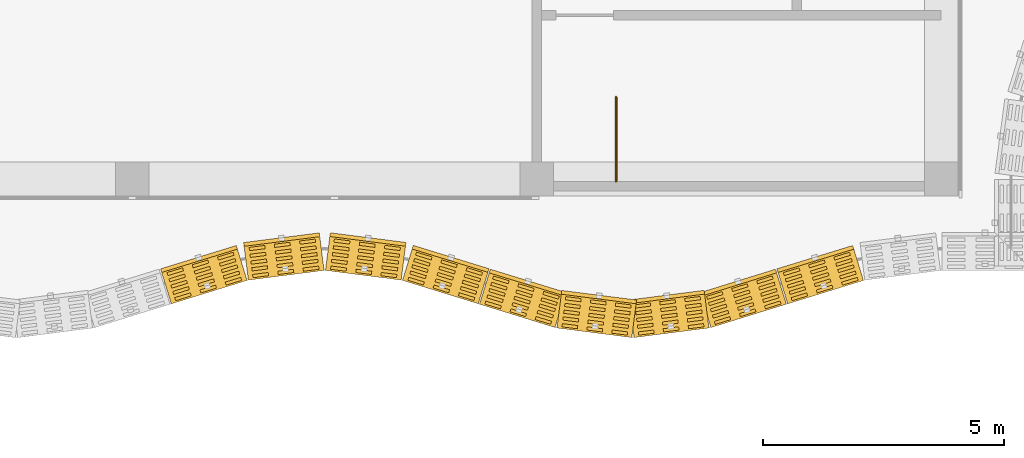
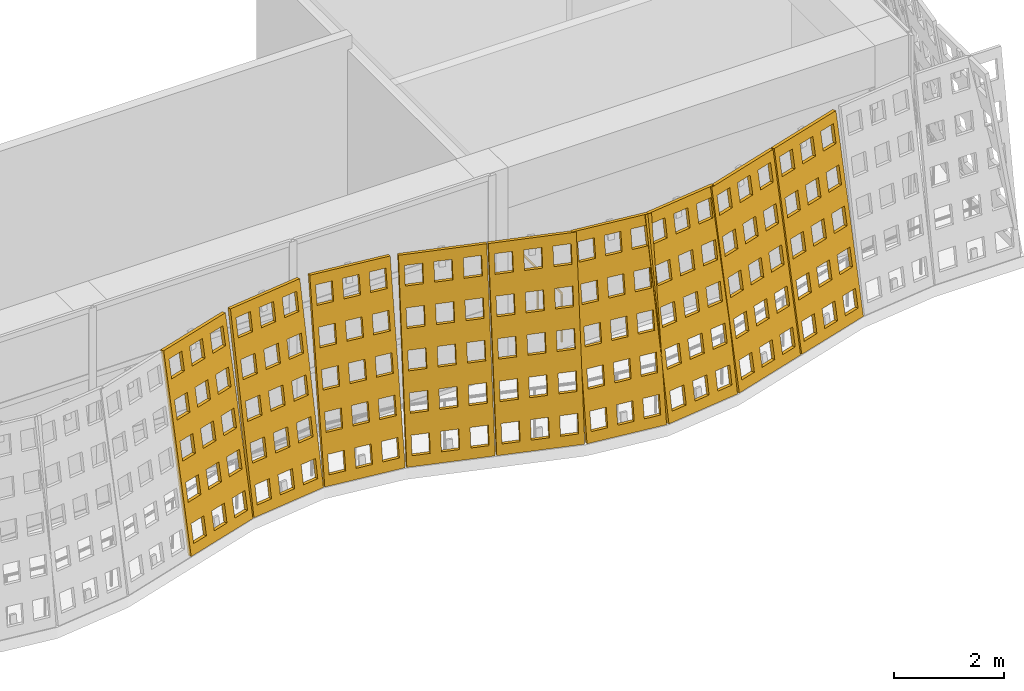
# One storey, part 159 of 162: 9 coverings, 1 railing.
"""IFC4 building model written with IfcOpenShell, lengths in metres."""

from ifc_helpers import new_model, si_unit, direction, frame, origin, origin_2d, place, context, subcontext, project, spatial, polyline, circle, outline, extrude, material, layer, layer_set, type_object, element, save


model = new_model("IFC4")

# Units and contexts
model_context = context("Model", 3, precision=1e-05, world=origin(), true_north=direction((0.0, 1.0)))
body_context = subcontext(model_context, "Body", "Model", "MODEL_VIEW")
ifc_project = project(units=[si_unit("LENGTHUNIT", "METRE"), si_unit("AREAUNIT", "SQUARE_METRE"), si_unit("VOLUMEUNIT", "CUBIC_METRE"), si_unit("PLANEANGLEUNIT", "RADIAN"), si_unit("MASSUNIT", "GRAM", prefix="KILO")], contexts=[model_context])

# Site, building, storey
site_placement = place(None, origin())
site = spatial("IfcSite", under=ifc_project, at=site_placement, CompositionType="ELEMENT")
building_placement = place(site_placement, origin())
building = spatial("IfcBuilding", under=site, at=building_placement, Name="Rain Tree Exposition and Congress Centre", CompositionType="ELEMENT")
storey_placement = place(building_placement, frame((0.0, 0.0, 6.0)))
storey = spatial("IfcBuildingStorey", under=building, at=storey_placement, Name="L01", CompositionType="ELEMENT", Elevation=6.0)

# Railing
ifc_material_1 = material(Name="Aluminium and glass balustrade", Category="aluminium")
railing_type = type_object("IfcRailingType", Name="Concourse guard 1100", PredefinedType="GUARDRAIL", material=ifc_material_1)
railing_placement = place(storey_placement, frame((262.050048828125, 75.550048828125, 0.0)))
element("IfcRailing", 1, at=railing_placement, inside=storey, type_object=railing_type, Name="L01 ST-C6 top well guard 1", PredefinedType="GUARDRAIL", context=body_context, shape_type="SweptSolid", body=[
    extrude(circle(Radius=0.02392578125, at=origin_2d()), frame((0.0, 0.0, 1.076171875), z_axis=(0.0, 1.0, 0.0), x_axis=(-1.0, 0.0, 0.0)), (0.0, 0.0, 1.0), 1.75),
    extrude(circle(Radius=0.02099609375, at=origin_2d()), origin(), (0.0, 0.0, 1.0), 1.052001953125),
    extrude(circle(Radius=0.02099609375, at=origin_2d()), frame((0.0, 0.875, 0.0)), (0.0, 0.0, 1.0), 1.052001953125),
    extrude(circle(Radius=0.02099609375, at=origin_2d()), frame((0.0, 1.75, 0.0)), (0.0, 0.0, 1.0), 1.052001953125),
])

# Coverings
ifc_material_2 = material(Name="Perforated terracotta", Category="masonry")
ifc_layer = layer(ifc_material_2, 0.080078125)
ifc_layer_set = layer_set([ifc_layer], Name="Perforated terracotta")
covering_type = type_object("IfcCoveringType", Name="Terracotta screen 80", PredefinedType="CLADDING", material=ifc_layer_set)
covering_1_placement = place(storey_placement, frame((252.79931640625, 73.001708984375, 0.0126953125), z_axis=(-0.290138898064, 0.943714942124, -0.158812870519), x_axis=(-0.955845867297, -0.293868470528, 0.0)))
element("IfcCovering", 2, at=covering_1_placement, inside=storey, type_object=covering_type, Name="concourse/screen/L01/159", PredefinedType="CLADDING", context=body_context, shape_type="SweptSolid", body=[
    extrude(outline(polyline([(-1.659912109375, 0.0), (-1.659912109375, 4.29150390625), (-0.014892578125, 4.29150390625), (-0.014892578125, 0.0), (-1.659912109375, 0.0)]), holes=[polyline([(-0.119140625, 0.221435546875), (-0.119140625, 0.63671875), (-0.458984375, 0.63671875), (-0.458984375, 0.221435546875), (-0.119140625, 0.221435546875)]), polyline([(-0.119140625, 1.079833984375), (-0.119140625, 1.4951171875), (-0.458984375, 1.4951171875), (-0.458984375, 1.079833984375), (-0.119140625, 1.079833984375)]), polyline([(-0.119140625, 1.93798828125), (-0.119140625, 2.353271484375), (-0.458984375, 2.353271484375), (-0.458984375, 1.93798828125), (-0.119140625, 1.93798828125)]), polyline([(-0.119140625, 2.79638671875), (-0.119140625, 3.211669921875), (-0.458984375, 3.211669921875), (-0.458984375, 2.79638671875), (-0.119140625, 2.79638671875)]), polyline([(-0.119140625, 3.654541015625), (-0.119140625, 4.06982421875), (-0.458984375, 4.06982421875), (-0.458984375, 3.654541015625), (-0.119140625, 3.654541015625)]), polyline([(-0.66748046875, 0.221435546875), (-0.66748046875, 0.63671875), (-1.00732421875, 0.63671875), (-1.00732421875, 0.221435546875), (-0.66748046875, 0.221435546875)]), polyline([(-0.66748046875, 1.079833984375), (-0.66748046875, 1.4951171875), (-1.00732421875, 1.4951171875), (-1.00732421875, 1.079833984375), (-0.66748046875, 1.079833984375)]), polyline([(-0.66748046875, 1.93798828125), (-0.66748046875, 2.353271484375), (-1.00732421875, 2.353271484375), (-1.00732421875, 1.93798828125), (-0.66748046875, 1.93798828125)]), polyline([(-0.66748046875, 2.79638671875), (-0.66748046875, 3.211669921875), (-1.00732421875, 3.211669921875), (-1.00732421875, 2.79638671875), (-0.66748046875, 2.79638671875)]), polyline([(-0.66748046875, 3.654541015625), (-0.66748046875, 4.06982421875), (-1.00732421875, 4.06982421875), (-1.00732421875, 3.654541015625), (-0.66748046875, 3.654541015625)]), polyline([(-1.2158203125, 0.221435546875), (-1.2158203125, 0.63671875), (-1.5556640625, 0.63671875), (-1.5556640625, 0.221435546875), (-1.2158203125, 0.221435546875)]), polyline([(-1.2158203125, 1.079833984375), (-1.2158203125, 1.4951171875), (-1.5556640625, 1.4951171875), (-1.5556640625, 1.079833984375), (-1.2158203125, 1.079833984375)]), polyline([(-1.2158203125, 1.93798828125), (-1.2158203125, 2.353271484375), (-1.5556640625, 2.353271484375), (-1.5556640625, 1.93798828125), (-1.2158203125, 1.93798828125)]), polyline([(-1.2158203125, 2.79638671875), (-1.2158203125, 3.211669921875), (-1.5556640625, 3.211669921875), (-1.5556640625, 2.79638671875), (-1.2158203125, 2.79638671875)]), polyline([(-1.2158203125, 3.654541015625), (-1.2158203125, 4.06982421875), (-1.5556640625, 4.06982421875), (-1.5556640625, 3.654541015625), (-1.2158203125, 3.654541015625)])]), origin(), (0.0, 0.0, 1.0), 0.079833984375),
])
covering_2_placement = place(storey_placement, frame((254.399658203125, 73.496826171875, 0.01318359375), z_axis=(-0.124968640969, 0.978413018317, -0.164592844203), x_axis=(-0.991941518713, -0.126696580272, 0.0)))
element("IfcCovering", 3, at=covering_2_placement, inside=storey, type_object=covering_type, Name="concourse/screen/L01/160", PredefinedType="CLADDING", context=body_context, shape_type="SweptSolid", body=[
    extrude(outline(polyline([(-1.59814453125, 0.0), (-1.59814453125, 4.295166015625), (-0.014892578125, 4.295166015625), (-0.014892578125, 0.0), (-1.59814453125, 0.0)]), holes=[polyline([(-0.115234375, 0.2216796875), (-0.115234375, 0.63720703125), (-0.4423828125, 0.63720703125), (-0.4423828125, 0.2216796875), (-0.115234375, 0.2216796875)]), polyline([(-0.115234375, 1.080810546875), (-0.115234375, 1.496337890625), (-0.4423828125, 1.496337890625), (-0.4423828125, 1.080810546875), (-0.115234375, 1.080810546875)]), polyline([(-0.115234375, 1.939697265625), (-0.115234375, 2.35546875), (-0.4423828125, 2.35546875), (-0.4423828125, 1.939697265625), (-0.115234375, 1.939697265625)]), polyline([(-0.115234375, 2.798583984375), (-0.115234375, 3.21435546875), (-0.4423828125, 3.21435546875), (-0.4423828125, 2.798583984375), (-0.115234375, 2.798583984375)]), polyline([(-0.115234375, 3.65771484375), (-0.115234375, 4.073486328125), (-0.4423828125, 4.073486328125), (-0.4423828125, 3.65771484375), (-0.115234375, 3.65771484375)]), polyline([(-0.64306640625, 0.2216796875), (-0.64306640625, 0.63720703125), (-0.97021484375, 0.63720703125), (-0.97021484375, 0.2216796875), (-0.64306640625, 0.2216796875)]), polyline([(-0.64306640625, 1.080810546875), (-0.64306640625, 1.496337890625), (-0.97021484375, 1.496337890625), (-0.97021484375, 1.080810546875), (-0.64306640625, 1.080810546875)]), polyline([(-0.64306640625, 1.939697265625), (-0.64306640625, 2.35546875), (-0.97021484375, 2.35546875), (-0.97021484375, 1.939697265625), (-0.64306640625, 1.939697265625)]), polyline([(-0.64306640625, 2.798583984375), (-0.64306640625, 3.21435546875), (-0.97021484375, 3.21435546875), (-0.97021484375, 2.798583984375), (-0.64306640625, 2.798583984375)]), polyline([(-0.64306640625, 3.65771484375), (-0.64306640625, 4.073486328125), (-0.97021484375, 4.073486328125), (-0.97021484375, 3.65771484375), (-0.64306640625, 3.65771484375)]), polyline([(-1.170654296875, 0.2216796875), (-1.170654296875, 0.63720703125), (-1.497802734375, 0.63720703125), (-1.497802734375, 0.2216796875), (-1.170654296875, 0.2216796875)]), polyline([(-1.170654296875, 1.080810546875), (-1.170654296875, 1.496337890625), (-1.497802734375, 1.496337890625), (-1.497802734375, 1.080810546875), (-1.170654296875, 1.080810546875)]), polyline([(-1.170654296875, 1.939697265625), (-1.170654296875, 2.35546875), (-1.497802734375, 2.35546875), (-1.497802734375, 1.939697265625), (-1.170654296875, 1.939697265625)]), polyline([(-1.170654296875, 2.798583984375), (-1.170654296875, 3.21435546875), (-1.497802734375, 3.21435546875), (-1.497802734375, 2.798583984375), (-1.170654296875, 2.798583984375)]), polyline([(-1.170654296875, 3.65771484375), (-1.170654296875, 4.073486328125), (-1.497802734375, 4.073486328125), (-1.497802734375, 3.65771484375), (-1.170654296875, 3.65771484375)])]), origin(), (0.0, 0.0, 1.0), 0.080078125),
])
covering_3_placement = place(storey_placement, frame((256.000244140625, 73.701904296875, 0.01318359375), z_axis=(0.125342414455, 0.978282259159, -0.165085131233), x_axis=(-0.991891686382, 0.127086122318, 0.0)))
element("IfcCovering", 4, at=covering_3_placement, inside=storey, type_object=covering_type, Name="concourse/screen/L01/161", PredefinedType="CLADDING", context=body_context, shape_type="SweptSolid", body=[
    extrude(outline(polyline([(-1.59814453125, 0.0), (-1.59814453125, 4.295166015625), (-0.014892578125, 4.295166015625), (-0.014892578125, 0.0), (-1.59814453125, 0.0)]), holes=[polyline([(-0.115234375, 0.2216796875), (-0.115234375, 0.63720703125), (-0.4423828125, 0.63720703125), (-0.4423828125, 0.2216796875), (-0.115234375, 0.2216796875)]), polyline([(-0.115234375, 1.080810546875), (-0.115234375, 1.496337890625), (-0.4423828125, 1.496337890625), (-0.4423828125, 1.080810546875), (-0.115234375, 1.080810546875)]), polyline([(-0.115234375, 1.939697265625), (-0.115234375, 2.35546875), (-0.4423828125, 2.35546875), (-0.4423828125, 1.939697265625), (-0.115234375, 1.939697265625)]), polyline([(-0.115234375, 2.798583984375), (-0.115234375, 3.21435546875), (-0.4423828125, 3.21435546875), (-0.4423828125, 2.798583984375), (-0.115234375, 2.798583984375)]), polyline([(-0.115234375, 3.65771484375), (-0.115234375, 4.073486328125), (-0.4423828125, 4.073486328125), (-0.4423828125, 3.65771484375), (-0.115234375, 3.65771484375)]), polyline([(-0.64306640625, 0.2216796875), (-0.64306640625, 0.63720703125), (-0.97021484375, 0.63720703125), (-0.97021484375, 0.2216796875), (-0.64306640625, 0.2216796875)]), polyline([(-0.64306640625, 1.080810546875), (-0.64306640625, 1.496337890625), (-0.97021484375, 1.496337890625), (-0.97021484375, 1.080810546875), (-0.64306640625, 1.080810546875)]), polyline([(-0.64306640625, 1.939697265625), (-0.64306640625, 2.35546875), (-0.97021484375, 2.35546875), (-0.97021484375, 1.939697265625), (-0.64306640625, 1.939697265625)]), polyline([(-0.64306640625, 2.798583984375), (-0.64306640625, 3.21435546875), (-0.97021484375, 3.21435546875), (-0.97021484375, 2.798583984375), (-0.64306640625, 2.798583984375)]), polyline([(-0.64306640625, 3.65771484375), (-0.64306640625, 4.073486328125), (-0.97021484375, 4.073486328125), (-0.97021484375, 3.65771484375), (-0.64306640625, 3.65771484375)]), polyline([(-1.170654296875, 0.2216796875), (-1.170654296875, 0.63720703125), (-1.497802734375, 0.63720703125), (-1.497802734375, 0.2216796875), (-1.170654296875, 0.2216796875)]), polyline([(-1.170654296875, 1.080810546875), (-1.170654296875, 1.496337890625), (-1.497802734375, 1.496337890625), (-1.497802734375, 1.080810546875), (-1.170654296875, 1.080810546875)]), polyline([(-1.170654296875, 1.939697265625), (-1.170654296875, 2.35546875), (-1.497802734375, 2.35546875), (-1.497802734375, 1.939697265625), (-1.170654296875, 1.939697265625)]), polyline([(-1.170654296875, 2.798583984375), (-1.170654296875, 3.21435546875), (-1.497802734375, 3.21435546875), (-1.497802734375, 2.798583984375), (-1.170654296875, 2.798583984375)]), polyline([(-1.170654296875, 3.65771484375), (-1.170654296875, 4.073486328125), (-1.497802734375, 4.073486328125), (-1.497802734375, 3.65771484375), (-1.170654296875, 3.65771484375)])]), origin(), (0.0, 0.0, 1.0), 0.079833984375),
])
covering_4_placement = place(storey_placement, frame((257.6005859375, 73.49658203125, 0.0126953125), z_axis=(0.290138898064, 0.943714942124, -0.158812870519), x_axis=(-0.955845867297, 0.293868470528, 0.0)))
element("IfcCovering", 5, at=covering_4_placement, inside=storey, type_object=covering_type, Name="concourse/screen/L01/162", PredefinedType="CLADDING", context=body_context, shape_type="SweptSolid", body=[
    extrude(outline(polyline([(-1.659912109375, 0.0), (-1.659912109375, 4.29150390625), (-0.014892578125, 4.29150390625), (-0.014892578125, 0.0), (-1.659912109375, 0.0)]), holes=[polyline([(-0.119140625, 0.221435546875), (-0.119140625, 0.63671875), (-0.458984375, 0.63671875), (-0.458984375, 0.221435546875), (-0.119140625, 0.221435546875)]), polyline([(-0.119140625, 1.079833984375), (-0.119140625, 1.4951171875), (-0.458984375, 1.4951171875), (-0.458984375, 1.079833984375), (-0.119140625, 1.079833984375)]), polyline([(-0.119140625, 1.93798828125), (-0.119140625, 2.353271484375), (-0.458984375, 2.353271484375), (-0.458984375, 1.93798828125), (-0.119140625, 1.93798828125)]), polyline([(-0.119140625, 2.79638671875), (-0.119140625, 3.211669921875), (-0.458984375, 3.211669921875), (-0.458984375, 2.79638671875), (-0.119140625, 2.79638671875)]), polyline([(-0.119140625, 3.654541015625), (-0.119140625, 4.06982421875), (-0.458984375, 4.06982421875), (-0.458984375, 3.654541015625), (-0.119140625, 3.654541015625)]), polyline([(-0.66748046875, 0.221435546875), (-0.66748046875, 0.63671875), (-1.00732421875, 0.63671875), (-1.00732421875, 0.221435546875), (-0.66748046875, 0.221435546875)]), polyline([(-0.66748046875, 1.079833984375), (-0.66748046875, 1.4951171875), (-1.00732421875, 1.4951171875), (-1.00732421875, 1.079833984375), (-0.66748046875, 1.079833984375)]), polyline([(-0.66748046875, 1.93798828125), (-0.66748046875, 2.353271484375), (-1.00732421875, 2.353271484375), (-1.00732421875, 1.93798828125), (-0.66748046875, 1.93798828125)]), polyline([(-0.66748046875, 2.79638671875), (-0.66748046875, 3.211669921875), (-1.00732421875, 3.211669921875), (-1.00732421875, 2.79638671875), (-0.66748046875, 2.79638671875)]), polyline([(-0.66748046875, 3.654541015625), (-0.66748046875, 4.06982421875), (-1.00732421875, 4.06982421875), (-1.00732421875, 3.654541015625), (-0.66748046875, 3.654541015625)]), polyline([(-1.2158203125, 0.221435546875), (-1.2158203125, 0.63671875), (-1.5556640625, 0.63671875), (-1.5556640625, 0.221435546875), (-1.2158203125, 0.221435546875)]), polyline([(-1.2158203125, 1.079833984375), (-1.2158203125, 1.4951171875), (-1.5556640625, 1.4951171875), (-1.5556640625, 1.079833984375), (-1.2158203125, 1.079833984375)]), polyline([(-1.2158203125, 1.93798828125), (-1.2158203125, 2.353271484375), (-1.5556640625, 2.353271484375), (-1.5556640625, 1.93798828125), (-1.2158203125, 1.93798828125)]), polyline([(-1.2158203125, 2.79638671875), (-1.2158203125, 3.211669921875), (-1.5556640625, 3.211669921875), (-1.5556640625, 2.79638671875), (-1.2158203125, 2.79638671875)]), polyline([(-1.2158203125, 3.654541015625), (-1.2158203125, 4.06982421875), (-1.5556640625, 4.06982421875), (-1.5556640625, 3.654541015625), (-1.2158203125, 3.654541015625)])]), origin(), (0.0, 0.0, 1.0), 0.079833984375),
])
covering_5_placement = place(storey_placement, frame((259.20068359375, 73.001708984375, 0.0126953125), z_axis=(0.290138898064, 0.943714942124, -0.158812870519), x_axis=(-0.955845867297, 0.293868470528, 0.0)))
element("IfcCovering", 6, at=covering_5_placement, inside=storey, type_object=covering_type, Name="concourse/screen/L01/163", PredefinedType="CLADDING", context=body_context, shape_type="SweptSolid", body=[
    extrude(outline(polyline([(-1.65283203125, 0.0), (-1.65283203125, 4.29150390625), (-0.014892578125, 4.29150390625), (-0.014892578125, 0.0), (-1.65283203125, 0.0)]), holes=[polyline([(-0.11865234375, 0.221435546875), (-0.11865234375, 0.63671875), (-0.457275390625, 0.63671875), (-0.457275390625, 0.221435546875), (-0.11865234375, 0.221435546875)]), polyline([(-0.11865234375, 1.079833984375), (-0.11865234375, 1.4951171875), (-0.457275390625, 1.4951171875), (-0.457275390625, 1.079833984375), (-0.11865234375, 1.079833984375)]), polyline([(-0.11865234375, 1.93798828125), (-0.11865234375, 2.353271484375), (-0.457275390625, 2.353271484375), (-0.457275390625, 1.93798828125), (-0.11865234375, 1.93798828125)]), polyline([(-0.11865234375, 2.79638671875), (-0.11865234375, 3.211669921875), (-0.457275390625, 3.211669921875), (-0.457275390625, 2.79638671875), (-0.11865234375, 2.79638671875)]), polyline([(-0.11865234375, 3.654541015625), (-0.11865234375, 4.06982421875), (-0.457275390625, 4.06982421875), (-0.457275390625, 3.654541015625), (-0.11865234375, 3.654541015625)]), polyline([(-0.664794921875, 0.221435546875), (-0.664794921875, 0.63671875), (-1.003173828125, 0.63671875), (-1.003173828125, 0.221435546875), (-0.664794921875, 0.221435546875)]), polyline([(-0.664794921875, 1.079833984375), (-0.664794921875, 1.4951171875), (-1.003173828125, 1.4951171875), (-1.003173828125, 1.079833984375), (-0.664794921875, 1.079833984375)]), polyline([(-0.664794921875, 1.93798828125), (-0.664794921875, 2.353271484375), (-1.003173828125, 2.353271484375), (-1.003173828125, 1.93798828125), (-0.664794921875, 1.93798828125)]), polyline([(-0.664794921875, 2.79638671875), (-0.664794921875, 3.211669921875), (-1.003173828125, 3.211669921875), (-1.003173828125, 2.79638671875), (-0.664794921875, 2.79638671875)]), polyline([(-0.664794921875, 3.654541015625), (-0.664794921875, 4.06982421875), (-1.003173828125, 4.06982421875), (-1.003173828125, 3.654541015625), (-0.664794921875, 3.654541015625)]), polyline([(-1.210693359375, 0.221435546875), (-1.210693359375, 0.63671875), (-1.54931640625, 0.63671875), (-1.54931640625, 0.221435546875), (-1.210693359375, 0.221435546875)]), polyline([(-1.210693359375, 1.079833984375), (-1.210693359375, 1.4951171875), (-1.54931640625, 1.4951171875), (-1.54931640625, 1.079833984375), (-1.210693359375, 1.079833984375)]), polyline([(-1.210693359375, 1.93798828125), (-1.210693359375, 2.353271484375), (-1.54931640625, 2.353271484375), (-1.54931640625, 1.93798828125), (-1.210693359375, 1.93798828125)]), polyline([(-1.210693359375, 2.79638671875), (-1.210693359375, 3.211669921875), (-1.54931640625, 3.211669921875), (-1.54931640625, 2.79638671875), (-1.210693359375, 2.79638671875)]), polyline([(-1.210693359375, 3.654541015625), (-1.210693359375, 4.06982421875), (-1.54931640625, 4.06982421875), (-1.54931640625, 3.654541015625), (-1.210693359375, 3.654541015625)])]), origin(), (0.0, 0.0, 1.0), 0.079833984375),
])
covering_6_placement = place(storey_placement, frame((260.80029296875, 72.5068359375, 0.01318359375), z_axis=(0.124968640969, 0.978413018317, -0.164592844203), x_axis=(-0.991941518713, 0.126696580272, 0.0)))
element("IfcCovering", 7, at=covering_6_placement, inside=storey, type_object=covering_type, Name="concourse/screen/L01/164", PredefinedType="CLADDING", context=body_context, shape_type="SweptSolid", body=[
    extrude(outline(polyline([(-1.587890625, 0.0), (-1.587890625, 4.295166015625), (-0.02197265625, 4.295166015625), (-0.02197265625, 0.0), (-1.587890625, 0.0)]), holes=[polyline([(-0.12109375, 0.2216796875), (-0.12109375, 0.63720703125), (-0.444580078125, 0.63720703125), (-0.444580078125, 0.2216796875), (-0.12109375, 0.2216796875)]), polyline([(-0.12109375, 1.080810546875), (-0.12109375, 1.496337890625), (-0.444580078125, 1.496337890625), (-0.444580078125, 1.080810546875), (-0.12109375, 1.080810546875)]), polyline([(-0.12109375, 1.939697265625), (-0.12109375, 2.35546875), (-0.444580078125, 2.35546875), (-0.444580078125, 1.939697265625), (-0.12109375, 1.939697265625)]), polyline([(-0.12109375, 2.798583984375), (-0.12109375, 3.21435546875), (-0.444580078125, 3.21435546875), (-0.444580078125, 2.798583984375), (-0.12109375, 2.798583984375)]), polyline([(-0.12109375, 3.65771484375), (-0.12109375, 4.073486328125), (-0.444580078125, 4.073486328125), (-0.444580078125, 3.65771484375), (-0.12109375, 3.65771484375)]), polyline([(-0.64306640625, 0.2216796875), (-0.64306640625, 0.63720703125), (-0.966796875, 0.63720703125), (-0.966796875, 0.2216796875), (-0.64306640625, 0.2216796875)]), polyline([(-0.64306640625, 1.080810546875), (-0.64306640625, 1.496337890625), (-0.966796875, 1.496337890625), (-0.966796875, 1.080810546875), (-0.64306640625, 1.080810546875)]), polyline([(-0.64306640625, 1.939697265625), (-0.64306640625, 2.35546875), (-0.966796875, 2.35546875), (-0.966796875, 1.939697265625), (-0.64306640625, 1.939697265625)]), polyline([(-0.64306640625, 2.798583984375), (-0.64306640625, 3.21435546875), (-0.966796875, 3.21435546875), (-0.966796875, 2.798583984375), (-0.64306640625, 2.798583984375)]), polyline([(-0.64306640625, 3.65771484375), (-0.64306640625, 4.073486328125), (-0.966796875, 4.073486328125), (-0.966796875, 3.65771484375), (-0.64306640625, 3.65771484375)]), polyline([(-1.1650390625, 0.2216796875), (-1.1650390625, 0.63720703125), (-1.48876953125, 0.63720703125), (-1.48876953125, 0.2216796875), (-1.1650390625, 0.2216796875)]), polyline([(-1.1650390625, 1.080810546875), (-1.1650390625, 1.496337890625), (-1.48876953125, 1.496337890625), (-1.48876953125, 1.080810546875), (-1.1650390625, 1.080810546875)]), polyline([(-1.1650390625, 1.939697265625), (-1.1650390625, 2.35546875), (-1.48876953125, 2.35546875), (-1.48876953125, 1.939697265625), (-1.1650390625, 1.939697265625)]), polyline([(-1.1650390625, 2.798583984375), (-1.1650390625, 3.21435546875), (-1.48876953125, 3.21435546875), (-1.48876953125, 2.798583984375), (-1.1650390625, 2.798583984375)]), polyline([(-1.1650390625, 3.65771484375), (-1.1650390625, 4.073486328125), (-1.48876953125, 4.073486328125), (-1.48876953125, 3.65771484375), (-1.1650390625, 3.65771484375)])]), origin(), (0.0, 0.0, 1.0), 0.080078125),
])
covering_7_placement = place(storey_placement, frame((262.399658203125, 72.302001953125, 0.01318359375), z_axis=(-0.125342414455, 0.978282259159, -0.165085131233), x_axis=(-0.991891686382, -0.127086122318, 0.0)))
element("IfcCovering", 8, at=covering_7_placement, inside=storey, type_object=covering_type, Name="concourse/screen/L01/165", PredefinedType="CLADDING", context=body_context, shape_type="SweptSolid", body=[
    extrude(outline(polyline([(-1.59130859375, 0.0), (-1.59130859375, 4.295166015625), (-0.025146484375, 4.295166015625), (-0.025146484375, 0.0), (-1.59130859375, 0.0)]), holes=[polyline([(-0.12451171875, 0.2216796875), (-0.12451171875, 0.63720703125), (-0.447998046875, 0.63720703125), (-0.447998046875, 0.2216796875), (-0.12451171875, 0.2216796875)]), polyline([(-0.12451171875, 1.080810546875), (-0.12451171875, 1.496337890625), (-0.447998046875, 1.496337890625), (-0.447998046875, 1.080810546875), (-0.12451171875, 1.080810546875)]), polyline([(-0.12451171875, 1.939697265625), (-0.12451171875, 2.35546875), (-0.447998046875, 2.35546875), (-0.447998046875, 1.939697265625), (-0.12451171875, 1.939697265625)]), polyline([(-0.12451171875, 2.798583984375), (-0.12451171875, 3.21435546875), (-0.447998046875, 3.21435546875), (-0.447998046875, 2.798583984375), (-0.12451171875, 2.798583984375)]), polyline([(-0.12451171875, 3.65771484375), (-0.12451171875, 4.073486328125), (-0.447998046875, 4.073486328125), (-0.447998046875, 3.65771484375), (-0.12451171875, 3.65771484375)]), polyline([(-0.646484375, 0.2216796875), (-0.646484375, 0.63720703125), (-0.969970703125, 0.63720703125), (-0.969970703125, 0.2216796875), (-0.646484375, 0.2216796875)]), polyline([(-0.646484375, 1.080810546875), (-0.646484375, 1.496337890625), (-0.969970703125, 1.496337890625), (-0.969970703125, 1.080810546875), (-0.646484375, 1.080810546875)]), polyline([(-0.646484375, 1.939697265625), (-0.646484375, 2.35546875), (-0.969970703125, 2.35546875), (-0.969970703125, 1.939697265625), (-0.646484375, 1.939697265625)]), polyline([(-0.646484375, 2.798583984375), (-0.646484375, 3.21435546875), (-0.969970703125, 3.21435546875), (-0.969970703125, 2.798583984375), (-0.646484375, 2.798583984375)]), polyline([(-0.646484375, 3.65771484375), (-0.646484375, 4.073486328125), (-0.969970703125, 4.073486328125), (-0.969970703125, 3.65771484375), (-0.646484375, 3.65771484375)]), polyline([(-1.16845703125, 0.2216796875), (-1.16845703125, 0.63720703125), (-1.491943359375, 0.63720703125), (-1.491943359375, 0.2216796875), (-1.16845703125, 0.2216796875)]), polyline([(-1.16845703125, 1.080810546875), (-1.16845703125, 1.496337890625), (-1.491943359375, 1.496337890625), (-1.491943359375, 1.080810546875), (-1.16845703125, 1.080810546875)]), polyline([(-1.16845703125, 1.939697265625), (-1.16845703125, 2.35546875), (-1.491943359375, 2.35546875), (-1.491943359375, 1.939697265625), (-1.16845703125, 1.939697265625)]), polyline([(-1.16845703125, 2.798583984375), (-1.16845703125, 3.21435546875), (-1.491943359375, 3.21435546875), (-1.491943359375, 2.798583984375), (-1.16845703125, 2.798583984375)]), polyline([(-1.16845703125, 3.65771484375), (-1.16845703125, 4.073486328125), (-1.491943359375, 4.073486328125), (-1.491943359375, 3.65771484375), (-1.16845703125, 3.65771484375)])]), origin(), (0.0, 0.0, 1.0), 0.079833984375),
])
covering_8_placement = place(storey_placement, frame((263.99951171875, 72.506591796875, 0.0126953125), z_axis=(-0.292932171154, 0.942875425902, -0.158671592708), x_axis=(-0.954973588716, -0.296690823679, 0.0)))
element("IfcCovering", 9, at=covering_8_placement, inside=storey, type_object=covering_type, Name="concourse/screen/L01/166", PredefinedType="CLADDING", context=body_context, shape_type="SweptSolid", body=[
    extrude(outline(polyline([(-1.659912109375, 0.0), (-1.659912109375, 4.29150390625), (-0.02197265625, 4.29150390625), (-0.02197265625, 0.0), (-1.659912109375, 0.0)]), holes=[polyline([(-0.125732421875, 0.221435546875), (-0.125732421875, 0.63671875), (-0.464111328125, 0.63671875), (-0.464111328125, 0.221435546875), (-0.125732421875, 0.221435546875)]), polyline([(-0.125732421875, 1.079833984375), (-0.125732421875, 1.4951171875), (-0.464111328125, 1.4951171875), (-0.464111328125, 1.079833984375), (-0.125732421875, 1.079833984375)]), polyline([(-0.125732421875, 1.93798828125), (-0.125732421875, 2.353271484375), (-0.464111328125, 2.353271484375), (-0.464111328125, 1.93798828125), (-0.125732421875, 1.93798828125)]), polyline([(-0.125732421875, 2.79638671875), (-0.125732421875, 3.211669921875), (-0.464111328125, 3.211669921875), (-0.464111328125, 2.79638671875), (-0.125732421875, 2.79638671875)]), polyline([(-0.125732421875, 3.654541015625), (-0.125732421875, 4.06982421875), (-0.464111328125, 4.06982421875), (-0.464111328125, 3.654541015625), (-0.125732421875, 3.654541015625)]), polyline([(-0.671630859375, 0.221435546875), (-0.671630859375, 0.63671875), (-1.010009765625, 0.63671875), (-1.010009765625, 0.221435546875), (-0.671630859375, 0.221435546875)]), polyline([(-0.671630859375, 1.079833984375), (-0.671630859375, 1.4951171875), (-1.010009765625, 1.4951171875), (-1.010009765625, 1.079833984375), (-0.671630859375, 1.079833984375)]), polyline([(-0.671630859375, 1.93798828125), (-0.671630859375, 2.353271484375), (-1.010009765625, 2.353271484375), (-1.010009765625, 1.93798828125), (-0.671630859375, 1.93798828125)]), polyline([(-0.671630859375, 2.79638671875), (-0.671630859375, 3.211669921875), (-1.010009765625, 3.211669921875), (-1.010009765625, 2.79638671875), (-0.671630859375, 2.79638671875)]), polyline([(-0.671630859375, 3.654541015625), (-0.671630859375, 4.06982421875), (-1.010009765625, 4.06982421875), (-1.010009765625, 3.654541015625), (-0.671630859375, 3.654541015625)]), polyline([(-1.217529296875, 0.221435546875), (-1.217529296875, 0.63671875), (-1.55615234375, 0.63671875), (-1.55615234375, 0.221435546875), (-1.217529296875, 0.221435546875)]), polyline([(-1.217529296875, 1.079833984375), (-1.217529296875, 1.4951171875), (-1.55615234375, 1.4951171875), (-1.55615234375, 1.079833984375), (-1.217529296875, 1.079833984375)]), polyline([(-1.217529296875, 1.93798828125), (-1.217529296875, 2.353271484375), (-1.55615234375, 2.353271484375), (-1.55615234375, 1.93798828125), (-1.217529296875, 1.93798828125)]), polyline([(-1.217529296875, 2.79638671875), (-1.217529296875, 3.211669921875), (-1.55615234375, 3.211669921875), (-1.55615234375, 2.79638671875), (-1.217529296875, 2.79638671875)]), polyline([(-1.217529296875, 3.654541015625), (-1.217529296875, 4.06982421875), (-1.55615234375, 4.06982421875), (-1.55615234375, 3.654541015625), (-1.217529296875, 3.654541015625)])]), origin(), (0.0, 0.0, 1.0), 0.080078125),
])
covering_9_placement = place(storey_placement, frame((265.599365234375, 73.001708984375, 0.0126953125), z_axis=(-0.290138898064, 0.943714942124, -0.158812870519), x_axis=(-0.955845867297, -0.293868470528, 0.0)))
element("IfcCovering", 10, at=covering_9_placement, inside=storey, type_object=covering_type, Name="concourse/screen/L01/167", PredefinedType="CLADDING", context=body_context, shape_type="SweptSolid", body=[
    extrude(outline(polyline([(-1.659912109375, 0.0), (-1.659912109375, 4.29150390625), (-0.014892578125, 4.29150390625), (-0.014892578125, 0.0), (-1.659912109375, 0.0)]), holes=[polyline([(-0.119140625, 0.221435546875), (-0.119140625, 0.63671875), (-0.458984375, 0.63671875), (-0.458984375, 0.221435546875), (-0.119140625, 0.221435546875)]), polyline([(-0.119140625, 1.079833984375), (-0.119140625, 1.4951171875), (-0.458984375, 1.4951171875), (-0.458984375, 1.079833984375), (-0.119140625, 1.079833984375)]), polyline([(-0.119140625, 1.93798828125), (-0.119140625, 2.353271484375), (-0.458984375, 2.353271484375), (-0.458984375, 1.93798828125), (-0.119140625, 1.93798828125)]), polyline([(-0.119140625, 2.79638671875), (-0.119140625, 3.211669921875), (-0.458984375, 3.211669921875), (-0.458984375, 2.79638671875), (-0.119140625, 2.79638671875)]), polyline([(-0.119140625, 3.654541015625), (-0.119140625, 4.06982421875), (-0.458984375, 4.06982421875), (-0.458984375, 3.654541015625), (-0.119140625, 3.654541015625)]), polyline([(-0.66748046875, 0.221435546875), (-0.66748046875, 0.63671875), (-1.00732421875, 0.63671875), (-1.00732421875, 0.221435546875), (-0.66748046875, 0.221435546875)]), polyline([(-0.66748046875, 1.079833984375), (-0.66748046875, 1.4951171875), (-1.00732421875, 1.4951171875), (-1.00732421875, 1.079833984375), (-0.66748046875, 1.079833984375)]), polyline([(-0.66748046875, 1.93798828125), (-0.66748046875, 2.353271484375), (-1.00732421875, 2.353271484375), (-1.00732421875, 1.93798828125), (-0.66748046875, 1.93798828125)]), polyline([(-0.66748046875, 2.79638671875), (-0.66748046875, 3.211669921875), (-1.00732421875, 3.211669921875), (-1.00732421875, 2.79638671875), (-0.66748046875, 2.79638671875)]), polyline([(-0.66748046875, 3.654541015625), (-0.66748046875, 4.06982421875), (-1.00732421875, 4.06982421875), (-1.00732421875, 3.654541015625), (-0.66748046875, 3.654541015625)]), polyline([(-1.2158203125, 0.221435546875), (-1.2158203125, 0.63671875), (-1.5556640625, 0.63671875), (-1.5556640625, 0.221435546875), (-1.2158203125, 0.221435546875)]), polyline([(-1.2158203125, 1.079833984375), (-1.2158203125, 1.4951171875), (-1.5556640625, 1.4951171875), (-1.5556640625, 1.079833984375), (-1.2158203125, 1.079833984375)]), polyline([(-1.2158203125, 1.93798828125), (-1.2158203125, 2.353271484375), (-1.5556640625, 2.353271484375), (-1.5556640625, 1.93798828125), (-1.2158203125, 1.93798828125)]), polyline([(-1.2158203125, 2.79638671875), (-1.2158203125, 3.211669921875), (-1.5556640625, 3.211669921875), (-1.5556640625, 2.79638671875), (-1.2158203125, 2.79638671875)]), polyline([(-1.2158203125, 3.654541015625), (-1.2158203125, 4.06982421875), (-1.5556640625, 4.06982421875), (-1.5556640625, 3.654541015625), (-1.2158203125, 3.654541015625)])]), origin(), (0.0, 0.0, 1.0), 0.079833984375),
])

save(model, "model.ifc")
